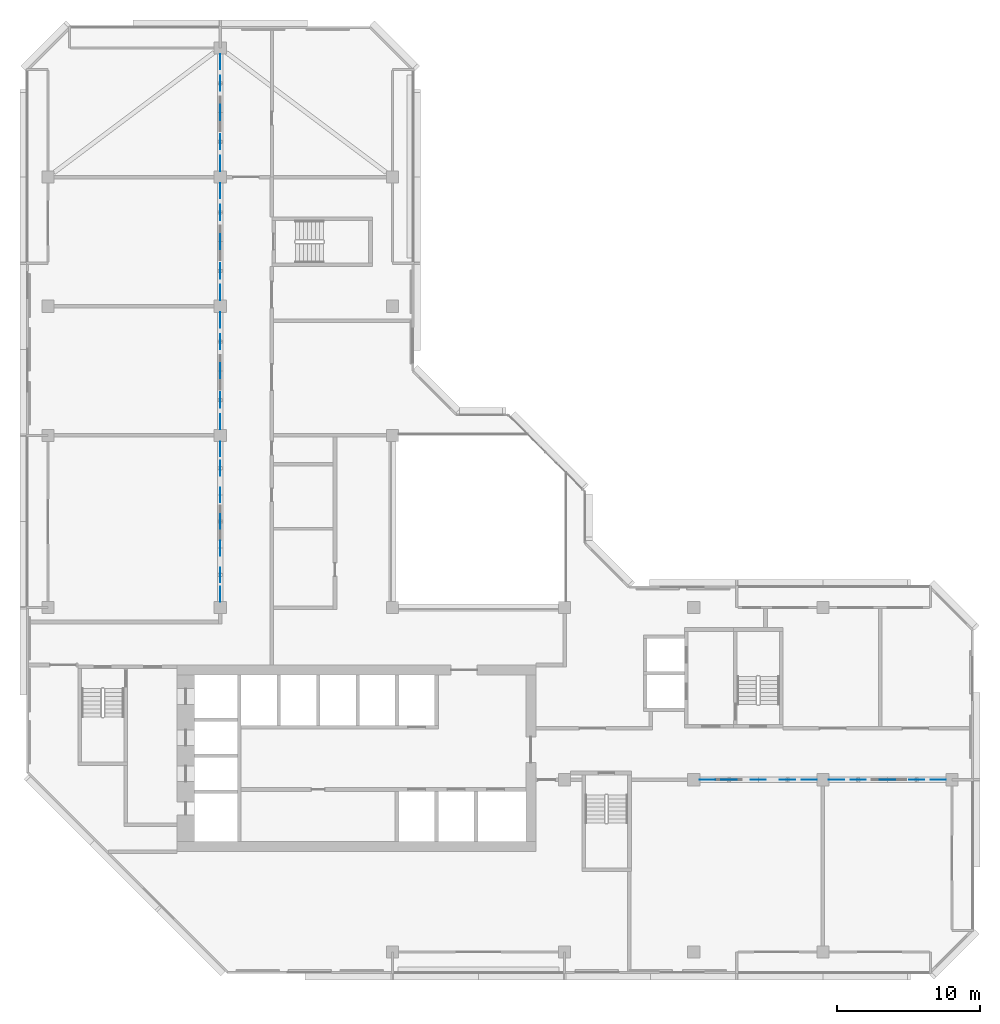
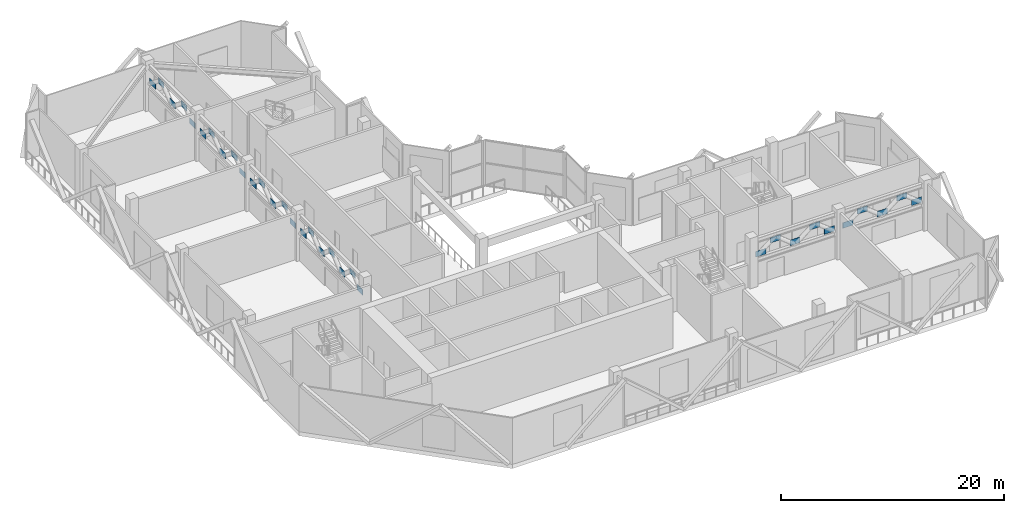
# One storey, part 11 of 14: 32 discrete accessories.
"""IFC4 building model written with IfcOpenShell, lengths in metres."""

import ifcopenshell
import ifcopenshell.guid

model = None  # the IFC model being written
_history = None  # IfcOwnerHistory: only IFC2X3 demands one
_inside = {}  # id of a spatial element -> (the spatial element, [elements in it])
_under = {}  # id of a project, library or spatial element -> (it, [spatial elements below it])
_declared = {}  # id of a project -> (the project, [libraries it declares])
_typed = {}  # id of a type object -> (the type object, [elements of that type])
_made_of = {}  # id of a material, layer set ... -> (it, [elements and type objects made of it])


def new_model(schema):
    """Start an empty IFC model of exactly this schema.

    Asked for "IFC4X3", IfcOpenShell would pick the latest addendum, in which some entities
    have other attributes; the version numbers below select the first issue.
    IFC2X3 requires an IfcOwnerHistory on every rooted entity: one is made here for all.
    """
    global model, _history
    if schema == "IFC4X3":
        model = ifcopenshell.file(schema_version=(4, 3, 0, 0))
    else:
        model = ifcopenshell.file(schema=schema)
    _inside.clear()
    _under.clear()
    _declared.clear()
    _typed.clear()
    _made_of.clear()
    _history = None
    if model.schema == "IFC2X3":
        org = make("IfcOrganization", Name="unknown")
        user = make(
            "IfcPersonAndOrganization",
            ThePerson=make("IfcPerson", FamilyName="unknown"),
            TheOrganization=org,
        )
        app = make(
            "IfcApplication",
            ApplicationDeveloper=org,
            Version="unknown",
            ApplicationFullName="unknown",
            ApplicationIdentifier="unknown",
        )
        _history = make(
            "IfcOwnerHistory",
            OwningUser=user,
            OwningApplication=app,
            ChangeAction="ADDED",
            CreationDate=0,
        )
    return model


def make(cls, **values):
    """One entity of the class cls with the attributes given. An attribute that is None is left unset."""
    return model.create_entity(
        cls, **{name: value for name, value in values.items() if value is not None}
    )


def rooted(cls, **values):
    """An entity with a GlobalId (a new one), such as an element, a storey or a relation."""
    return make(cls, GlobalId=ifcopenshell.guid.new(), OwnerHistory=_history, **values)


def si_unit(unit_type, name, prefix=None):
    """IfcSIUnit, for example si_unit("LENGTHUNIT", "METRE", prefix="MILLI")."""
    return make("IfcSIUnit", UnitType=unit_type, Prefix=prefix, Name=name)


def assignment(units):
    """IfcUnitAssignment: the units of a project."""
    return None if units is None else make("IfcUnitAssignment", Units=units)


def point(xyz):
    """IfcCartesianPoint."""
    return None if xyz is None else make("IfcCartesianPoint", Coordinates=xyz)


def direction(xyz):
    """IfcDirection."""
    return None if xyz is None else make("IfcDirection", DirectionRatios=xyz)


def frame(location, z_axis=None, x_axis=None):
    """IfcAxis2Placement3D, a coordinate frame: its origin and axes. An axis left out is left unset."""
    return make(
        "IfcAxis2Placement3D",
        Location=point(location),
        Axis=direction(z_axis),
        RefDirection=direction(x_axis),
    )


def origin():
    """The frame at (0, 0, 0) with its axes left unset."""
    return frame((0.0, 0.0, 0.0))


def place(relative_to, where):
    """IfcLocalPlacement: puts the frame where relative to a parent placement (None: the world)."""
    return make(
        "IfcLocalPlacement", PlacementRelTo=relative_to, RelativePlacement=where
    )


def context(
    kind, dimensions, precision=None, world=None, true_north=None, identifier=None
):
    """IfcGeometricRepresentationContext, for example the 3D "Model" context."""
    return make(
        "IfcGeometricRepresentationContext",
        ContextIdentifier=identifier,
        ContextType=kind,
        CoordinateSpaceDimension=dimensions,
        Precision=precision,
        WorldCoordinateSystem=world,
        TrueNorth=true_north,
    )


def subcontext(parent, identifier, kind, view, scale=None):
    """IfcGeometricRepresentationSubContext, for example "Body" below "Model"."""
    return make(
        "IfcGeometricRepresentationSubContext",
        ContextIdentifier=identifier,
        ContextType=kind,
        ParentContext=parent,
        TargetScale=scale,
        TargetView=view,
    )


def project(units=None, contexts=None):
    """IfcProject with its units and contexts."""
    return rooted(
        "IfcProject",
        Name="project",
        RepresentationContexts=contexts,
        UnitsInContext=assignment(units),
    )


def spatial(cls, under=None, at=None, **own):
    """A site, building, storey or space (cls), placed at a placement, below another one or the project."""
    s = rooted(cls, ObjectPlacement=at, **own)
    if under is not None:
        _under.setdefault(under.id(), (under, []))[1].append(s)
    return s


def polyline(points):
    """IfcPolyline through the points."""
    return make("IfcPolyline", Points=[point(p) for p in points])


def outline(outer, holes=None, kind="AREA"):
    """IfcArbitraryClosedProfileDef: a profile drawn as a closed curve; with holes, ...WithVoids."""
    if holes is None:
        return make("IfcArbitraryClosedProfileDef", ProfileType=kind, OuterCurve=outer)
    return make(
        "IfcArbitraryProfileDefWithVoids",
        ProfileType=kind,
        OuterCurve=outer,
        InnerCurves=holes,
    )


def extrude(swept, where, along, depth):
    """IfcExtrudedAreaSolid: the profile swept, set in the frame where, extruded along a direction by depth."""
    return make(
        "IfcExtrudedAreaSolid",
        SweptArea=swept,
        Position=where,
        ExtrudedDirection=direction(along),
        Depth=depth,
    )


def shape(context_of_items, identifier, shape_type, items):
    """IfcShapeRepresentation: the items that make up one representation, for example the "Body"."""
    return make(
        "IfcShapeRepresentation",
        ContextOfItems=context_of_items,
        RepresentationIdentifier=identifier,
        RepresentationType=shape_type,
        Items=items,
    )


def material(Name=None, Category=None):
    """IfcMaterial."""
    return make("IfcMaterial", Name=Name, Category=Category)


def layer(
    of_material, thickness, ventilated=None, Name=None, Category=None, Priority=None
):
    """IfcMaterialLayer: one layer of a wall or slab, of a material (None: an air gap)."""
    return make(
        "IfcMaterialLayer",
        Material=of_material,
        LayerThickness=thickness,
        IsVentilated=ventilated,
        Name=Name,
        Category=Category,
        Priority=Priority,
    )


def layer_set(layers, Name=None):
    """IfcMaterialLayerSet."""
    return make("IfcMaterialLayerSet", MaterialLayers=layers, LayerSetName=Name)


def made_of(thing, what):
    """Note that an element or type object is made of a material, layer set ...; save() writes the relation."""
    if what is not None:
        _made_of.setdefault(what.id(), (what, []))[1].append(thing)
    return thing


def type_object(cls, material=None, **own):
    """A type object (cls), such as IfcWallType, which elements share."""
    return made_of(rooted(cls, **own), material)


def element(
    cls,
    number,
    at=None,
    inside=None,
    cuts=None,
    type_object=None,
    material=None,
    context=None,
    identifier="Body",
    shape_type=None,
    held_by="IfcProductDefinitionShape",
    body=None,
    shapes=None,
    **own,
):
    """One element of the class cls, such as IfcWall. Its Tag is "e" and its number.

    at: its placement. inside: the storey or other place that contains it. cuts: it is an
    opening in that element (IfcRelVoidsElement). A single representation is given by context,
    identifier, shape_type and body (its items); several are given by shapes. held_by: the class
    of the entity that holds the representations. save() writes the other relations.
    """
    e = rooted(cls, Tag="e%d" % number, ObjectPlacement=at, **own)
    if body is not None:
        shapes = [shape(context, identifier, shape_type, body)]
    if shapes is not None:
        e.Representation = make(held_by, Representations=shapes)
    if inside is not None:
        _inside.setdefault(inside.id(), (inside, []))[1].append(e)
    if cuts is not None:
        rooted(
            "IfcRelVoidsElement", RelatingBuildingElement=cuts, RelatedOpeningElement=e
        )
    if type_object is not None:
        _typed.setdefault(type_object.id(), (type_object, []))[1].append(e)
    return made_of(e, material)


def aggregate(whole, parts):
    """IfcRelAggregates: a whole, such as a stair, and the parts it consists of."""
    return rooted("IfcRelAggregates", RelatingObject=whole, RelatedObjects=parts)


def save(model, path):
    """Write the relations noted so far, then the file.

    IfcRelAggregates (storeys below a building ...), IfcRelContainedInSpatialStructure (elements
    in a storey), IfcRelDefinesByType, IfcRelAssociatesMaterial and IfcRelDeclares: one each for
    every whole, place, type object, material and project.
    """
    for whole, parts in _under.values():
        aggregate(whole, parts)
    for where, things in _inside.values():
        rooted(
            "IfcRelContainedInSpatialStructure",
            RelatedElements=things,
            RelatingStructure=where,
        )
    for kind, things in _typed.values():
        rooted("IfcRelDefinesByType", RelatedObjects=things, RelatingType=kind)
    for what, things in _made_of.values():
        rooted("IfcRelAssociatesMaterial", RelatedObjects=things, RelatingMaterial=what)
    for by, libraries in _declared.values():
        rooted("IfcRelDeclares", RelatingContext=by, RelatedDefinitions=libraries)
    model.write(path)


model = new_model("IFC4")

# Units and contexts
model_context = context("Model", 3, precision=1e-05, world=origin(), true_north=direction((0.0, 1.0)))
body_context = subcontext(model_context, "Body", "Model", "MODEL_VIEW")
ifc_project = project(units=[si_unit("LENGTHUNIT", "METRE"), si_unit("AREAUNIT", "SQUARE_METRE"), si_unit("VOLUMEUNIT", "CUBIC_METRE"), si_unit("PLANEANGLEUNIT", "RADIAN"), si_unit("MASSUNIT", "GRAM", prefix="KILO")], contexts=[model_context])

# Site, building, storey
site_placement = place(None, origin())
site = spatial("IfcSite", under=ifc_project, at=site_placement, CompositionType="ELEMENT")
building_placement = place(site_placement, origin())
building = spatial("IfcBuilding", under=site, at=building_placement, Name="Chenar Terraces", CompositionType="ELEMENT")
storey_placement = place(building_placement, frame((0.0, 0.0, 256.64990234375)))
storey = spatial("IfcBuildingStorey", under=building, at=storey_placement, Name="L61", CompositionType="ELEMENT", Elevation=256.64990234375)

# Discrete accessories
ifc_material = material(Name="Structural steel S355", Category="steel")
ifc_layer = layer(ifc_material, 0.02490234375)
ifc_layer_set = layer_set([ifc_layer], Name="Structural steel S355")
discrete_accessory_type = type_object("IfcDiscreteAccessoryType", Name="Gusset plate 25 S355", PredefinedType="BRACKET", material=ifc_layer_set)
placement_1 = place(storey_placement, frame((0.0, 0.0, 2.940185546875)))
element("IfcDiscreteAccessory", 1, at=placement_1, inside=storey, type_object=discrete_accessory_type, Name="Gusset plate L61 A1 node 0", PredefinedType="BRACKET", context=body_context, shape_type="SweptSolid", body=[
    extrude(outline(polyline([(45.425048828125, 11.987548828125), (46.48291015625, 11.987548828125), (46.48291015625, 12.012451171875), (45.425048828125, 12.012451171875), (45.425048828125, 11.987548828125)])), origin(), (0.0, 0.0, 1.0), 0.60986328125),
])
placement_2 = place(storey_placement, frame((0.0, 0.0, 3.9501953125)))
element("IfcDiscreteAccessory", 2, at=placement_2, inside=storey, type_object=discrete_accessory_type, Name="Gusset plate L61 A1 node 1", PredefinedType="BRACKET", context=body_context, shape_type="SweptSolid", body=[
    extrude(outline(polyline([(46.93359375, 11.987548828125), (47.991455078125, 11.987548828125), (47.991455078125, 12.012451171875), (46.93359375, 12.012451171875), (46.93359375, 11.987548828125)])), origin(), (0.0, 0.0, 1.0), 0.60986328125),
])
element("IfcDiscreteAccessory", 3, at=placement_1, inside=storey, type_object=discrete_accessory_type, Name="Gusset plate L61 A1 node 2", PredefinedType="BRACKET", context=body_context, shape_type="SweptSolid", body=[
    extrude(outline(polyline([(48.970947265625, 11.987548828125), (50.029052734375, 11.987548828125), (50.029052734375, 12.012451171875), (48.970947265625, 12.012451171875), (48.970947265625, 11.987548828125)])), origin(), (0.0, 0.0, 1.0), 0.60986328125),
])
element("IfcDiscreteAccessory", 4, at=placement_2, inside=storey, type_object=discrete_accessory_type, Name="Gusset plate L61 A1 node 3", PredefinedType="BRACKET", context=body_context, shape_type="SweptSolid", body=[
    extrude(outline(polyline([(51.008544921875, 11.987548828125), (52.06640625, 11.987548828125), (52.06640625, 12.012451171875), (51.008544921875, 12.012451171875), (51.008544921875, 11.987548828125)])), origin(), (0.0, 0.0, 1.0), 0.60986328125),
])
element("IfcDiscreteAccessory", 5, at=placement_1, inside=storey, type_object=discrete_accessory_type, Name="Gusset plate L61 A1 node 4", PredefinedType="BRACKET", context=body_context, shape_type="SweptSolid", body=[
    extrude(outline(polyline([(52.51708984375, 11.987548828125), (53.574951171875, 11.987548828125), (53.574951171875, 12.012451171875), (52.51708984375, 12.012451171875), (52.51708984375, 11.987548828125)])), origin(), (0.0, 0.0, 1.0), 0.60986328125),
])
element("IfcDiscreteAccessory", 6, at=placement_1, inside=storey, type_object=discrete_accessory_type, Name="Gusset plate L61 A2 node 0", PredefinedType="BRACKET", context=body_context, shape_type="SweptSolid", body=[
    extrude(outline(polyline([(54.425048828125, 11.987548828125), (55.48291015625, 11.987548828125), (55.48291015625, 12.012451171875), (54.425048828125, 12.012451171875), (54.425048828125, 11.987548828125)])), origin(), (0.0, 0.0, 1.0), 0.60986328125),
])
element("IfcDiscreteAccessory", 7, at=placement_2, inside=storey, type_object=discrete_accessory_type, Name="Gusset plate L61 A2 node 1", PredefinedType="BRACKET", context=body_context, shape_type="SweptSolid", body=[
    extrude(outline(polyline([(55.93359375, 11.987548828125), (56.991455078125, 11.987548828125), (56.991455078125, 12.012451171875), (55.93359375, 12.012451171875), (55.93359375, 11.987548828125)])), origin(), (0.0, 0.0, 1.0), 0.60986328125),
])
element("IfcDiscreteAccessory", 8, at=placement_1, inside=storey, type_object=discrete_accessory_type, Name="Gusset plate L61 A2 node 2", PredefinedType="BRACKET", context=body_context, shape_type="SweptSolid", body=[
    extrude(outline(polyline([(57.970947265625, 11.987548828125), (59.029052734375, 11.987548828125), (59.029052734375, 12.012451171875), (57.970947265625, 12.012451171875), (57.970947265625, 11.987548828125)])), origin(), (0.0, 0.0, 1.0), 0.60986328125),
])
element("IfcDiscreteAccessory", 9, at=placement_2, inside=storey, type_object=discrete_accessory_type, Name="Gusset plate L61 A2 node 3", PredefinedType="BRACKET", context=body_context, shape_type="SweptSolid", body=[
    extrude(outline(polyline([(60.008544921875, 11.987548828125), (61.06640625, 11.987548828125), (61.06640625, 12.012451171875), (60.008544921875, 12.012451171875), (60.008544921875, 11.987548828125)])), origin(), (0.0, 0.0, 1.0), 0.60986328125),
])
element("IfcDiscreteAccessory", 10, at=placement_1, inside=storey, type_object=discrete_accessory_type, Name="Gusset plate L61 A2 node 4", PredefinedType="BRACKET", context=body_context, shape_type="SweptSolid", body=[
    extrude(outline(polyline([(61.51708984375, 11.987548828125), (62.574951171875, 11.987548828125), (62.574951171875, 12.012451171875), (61.51708984375, 12.012451171875), (61.51708984375, 11.987548828125)])), origin(), (0.0, 0.0, 1.0), 0.60986328125),
])
element("IfcDiscreteAccessory", 11, at=placement_1, inside=storey, type_object=discrete_accessory_type, Name="Gusset plate L61 B1 node 0", PredefinedType="BRACKET", context=body_context, shape_type="SweptSolid", body=[
    extrude(outline(polyline([(12.012451171875, 24.425048828125), (12.012451171875, 25.447998046875), (11.987548828125, 25.447998046875), (11.987548828125, 24.425048828125), (12.012451171875, 24.425048828125)])), origin(), (0.0, 0.0, 1.0), 0.60986328125),
])
element("IfcDiscreteAccessory", 12, at=placement_2, inside=storey, type_object=discrete_accessory_type, Name="Gusset plate L61 B1 node 1", PredefinedType="BRACKET", context=body_context, shape_type="SweptSolid", body=[
    extrude(outline(polyline([(12.012451171875, 25.77197265625), (12.012451171875, 26.794921875), (11.987548828125, 26.794921875), (11.987548828125, 25.77197265625), (12.012451171875, 25.77197265625)])), origin(), (0.0, 0.0, 1.0), 0.60986328125),
])
element("IfcDiscreteAccessory", 13, at=placement_1, inside=storey, type_object=discrete_accessory_type, Name="Gusset plate L61 B1 node 2", PredefinedType="BRACKET", context=body_context, shape_type="SweptSolid", body=[
    extrude(outline(polyline([(12.012451171875, 27.630126953125), (12.012451171875, 28.653076171875), (11.987548828125, 28.653076171875), (11.987548828125, 27.630126953125), (12.012451171875, 27.630126953125)])), origin(), (0.0, 0.0, 1.0), 0.60986328125),
])
element("IfcDiscreteAccessory", 14, at=placement_2, inside=storey, type_object=discrete_accessory_type, Name="Gusset plate L61 B1 node 3", PredefinedType="BRACKET", context=body_context, shape_type="SweptSolid", body=[
    extrude(outline(polyline([(12.012451171875, 29.488525390625), (12.012451171875, 30.511474609375), (11.987548828125, 30.511474609375), (11.987548828125, 29.488525390625), (12.012451171875, 29.488525390625)])), origin(), (0.0, 0.0, 1.0), 0.60986328125),
])
element("IfcDiscreteAccessory", 15, at=placement_1, inside=storey, type_object=discrete_accessory_type, Name="Gusset plate L61 B1 node 4", PredefinedType="BRACKET", context=body_context, shape_type="SweptSolid", body=[
    extrude(outline(polyline([(12.012451171875, 31.346923828125), (12.012451171875, 32.369873046875), (11.987548828125, 32.369873046875), (11.987548828125, 31.346923828125), (12.012451171875, 31.346923828125)])), origin(), (0.0, 0.0, 1.0), 0.60986328125),
])
element("IfcDiscreteAccessory", 16, at=placement_2, inside=storey, type_object=discrete_accessory_type, Name="Gusset plate L61 B1 node 5", PredefinedType="BRACKET", context=body_context, shape_type="SweptSolid", body=[
    extrude(outline(polyline([(12.012451171875, 33.205078125), (12.012451171875, 34.22802734375), (11.987548828125, 34.22802734375), (11.987548828125, 33.205078125), (12.012451171875, 33.205078125)])), origin(), (0.0, 0.0, 1.0), 0.60986328125),
])
element("IfcDiscreteAccessory", 17, at=placement_1, inside=storey, type_object=discrete_accessory_type, Name="Gusset plate L61 B1 node 6", PredefinedType="BRACKET", context=body_context, shape_type="SweptSolid", body=[
    extrude(outline(polyline([(12.012451171875, 34.552001953125), (12.012451171875, 35.574951171875), (11.987548828125, 35.574951171875), (11.987548828125, 34.552001953125), (12.012451171875, 34.552001953125)])), origin(), (0.0, 0.0, 1.0), 0.60986328125),
])
element("IfcDiscreteAccessory", 18, at=placement_1, inside=storey, type_object=discrete_accessory_type, Name="Gusset plate L61 B2 node 0", PredefinedType="BRACKET", context=body_context, shape_type="SweptSolid", body=[
    extrude(outline(polyline([(12.012451171875, 36.425048828125), (12.012451171875, 37.48291015625), (11.987548828125, 37.48291015625), (11.987548828125, 36.425048828125), (12.012451171875, 36.425048828125)])), origin(), (0.0, 0.0, 1.0), 0.60986328125),
])
element("IfcDiscreteAccessory", 19, at=placement_2, inside=storey, type_object=discrete_accessory_type, Name="Gusset plate L61 B2 node 1", PredefinedType="BRACKET", context=body_context, shape_type="SweptSolid", body=[
    extrude(outline(polyline([(12.012451171875, 37.93359375), (12.012451171875, 38.991455078125), (11.987548828125, 38.991455078125), (11.987548828125, 37.93359375), (12.012451171875, 37.93359375)])), origin(), (0.0, 0.0, 1.0), 0.60986328125),
])
element("IfcDiscreteAccessory", 20, at=placement_1, inside=storey, type_object=discrete_accessory_type, Name="Gusset plate L61 B2 node 2", PredefinedType="BRACKET", context=body_context, shape_type="SweptSolid", body=[
    extrude(outline(polyline([(12.012451171875, 39.970947265625), (12.012451171875, 41.029052734375), (11.987548828125, 41.029052734375), (11.987548828125, 39.970947265625), (12.012451171875, 39.970947265625)])), origin(), (0.0, 0.0, 1.0), 0.60986328125),
])
element("IfcDiscreteAccessory", 21, at=placement_2, inside=storey, type_object=discrete_accessory_type, Name="Gusset plate L61 B2 node 3", PredefinedType="BRACKET", context=body_context, shape_type="SweptSolid", body=[
    extrude(outline(polyline([(12.012451171875, 42.008544921875), (12.012451171875, 43.06640625), (11.987548828125, 43.06640625), (11.987548828125, 42.008544921875), (12.012451171875, 42.008544921875)])), origin(), (0.0, 0.0, 1.0), 0.60986328125),
])
element("IfcDiscreteAccessory", 22, at=placement_1, inside=storey, type_object=discrete_accessory_type, Name="Gusset plate L61 B2 node 4", PredefinedType="BRACKET", context=body_context, shape_type="SweptSolid", body=[
    extrude(outline(polyline([(12.012451171875, 43.51708984375), (12.012451171875, 44.574951171875), (11.987548828125, 44.574951171875), (11.987548828125, 43.51708984375), (12.012451171875, 43.51708984375)])), origin(), (0.0, 0.0, 1.0), 0.60986328125),
])
element("IfcDiscreteAccessory", 23, at=placement_1, inside=storey, type_object=discrete_accessory_type, Name="Gusset plate L61 B3 node 0", PredefinedType="BRACKET", context=body_context, shape_type="SweptSolid", body=[
    extrude(outline(polyline([(12.012451171875, 45.425048828125), (12.012451171875, 46.48291015625), (11.987548828125, 46.48291015625), (11.987548828125, 45.425048828125), (12.012451171875, 45.425048828125)])), origin(), (0.0, 0.0, 1.0), 0.60986328125),
])
element("IfcDiscreteAccessory", 24, at=placement_2, inside=storey, type_object=discrete_accessory_type, Name="Gusset plate L61 B3 node 1", PredefinedType="BRACKET", context=body_context, shape_type="SweptSolid", body=[
    extrude(outline(polyline([(12.012451171875, 46.93359375), (12.012451171875, 47.991455078125), (11.987548828125, 47.991455078125), (11.987548828125, 46.93359375), (12.012451171875, 46.93359375)])), origin(), (0.0, 0.0, 1.0), 0.60986328125),
])
element("IfcDiscreteAccessory", 25, at=placement_1, inside=storey, type_object=discrete_accessory_type, Name="Gusset plate L61 B3 node 2", PredefinedType="BRACKET", context=body_context, shape_type="SweptSolid", body=[
    extrude(outline(polyline([(12.012451171875, 48.970947265625), (12.012451171875, 50.029052734375), (11.987548828125, 50.029052734375), (11.987548828125, 48.970947265625), (12.012451171875, 48.970947265625)])), origin(), (0.0, 0.0, 1.0), 0.60986328125),
])
element("IfcDiscreteAccessory", 26, at=placement_2, inside=storey, type_object=discrete_accessory_type, Name="Gusset plate L61 B3 node 3", PredefinedType="BRACKET", context=body_context, shape_type="SweptSolid", body=[
    extrude(outline(polyline([(12.012451171875, 51.008544921875), (12.012451171875, 52.06640625), (11.987548828125, 52.06640625), (11.987548828125, 51.008544921875), (12.012451171875, 51.008544921875)])), origin(), (0.0, 0.0, 1.0), 0.60986328125),
])
element("IfcDiscreteAccessory", 27, at=placement_1, inside=storey, type_object=discrete_accessory_type, Name="Gusset plate L61 B3 node 4", PredefinedType="BRACKET", context=body_context, shape_type="SweptSolid", body=[
    extrude(outline(polyline([(12.012451171875, 52.51708984375), (12.012451171875, 53.574951171875), (11.987548828125, 53.574951171875), (11.987548828125, 52.51708984375), (12.012451171875, 52.51708984375)])), origin(), (0.0, 0.0, 1.0), 0.60986328125),
])
element("IfcDiscreteAccessory", 28, at=placement_1, inside=storey, type_object=discrete_accessory_type, Name="Gusset plate L61 B4 node 0", PredefinedType="BRACKET", context=body_context, shape_type="SweptSolid", body=[
    extrude(outline(polyline([(12.012451171875, 54.425048828125), (12.012451171875, 55.48291015625), (11.987548828125, 55.48291015625), (11.987548828125, 54.425048828125), (12.012451171875, 54.425048828125)])), origin(), (0.0, 0.0, 1.0), 0.60986328125),
])
element("IfcDiscreteAccessory", 29, at=placement_2, inside=storey, type_object=discrete_accessory_type, Name="Gusset plate L61 B4 node 1", PredefinedType="BRACKET", context=body_context, shape_type="SweptSolid", body=[
    extrude(outline(polyline([(12.012451171875, 55.93359375), (12.012451171875, 56.991455078125), (11.987548828125, 56.991455078125), (11.987548828125, 55.93359375), (12.012451171875, 55.93359375)])), origin(), (0.0, 0.0, 1.0), 0.60986328125),
])
element("IfcDiscreteAccessory", 30, at=placement_1, inside=storey, type_object=discrete_accessory_type, Name="Gusset plate L61 B4 node 2", PredefinedType="BRACKET", context=body_context, shape_type="SweptSolid", body=[
    extrude(outline(polyline([(12.012451171875, 57.970947265625), (12.012451171875, 59.029052734375), (11.987548828125, 59.029052734375), (11.987548828125, 57.970947265625), (12.012451171875, 57.970947265625)])), origin(), (0.0, 0.0, 1.0), 0.60986328125),
])
element("IfcDiscreteAccessory", 31, at=placement_2, inside=storey, type_object=discrete_accessory_type, Name="Gusset plate L61 B4 node 3", PredefinedType="BRACKET", context=body_context, shape_type="SweptSolid", body=[
    extrude(outline(polyline([(12.012451171875, 60.008544921875), (12.012451171875, 61.06640625), (11.987548828125, 61.06640625), (11.987548828125, 60.008544921875), (12.012451171875, 60.008544921875)])), origin(), (0.0, 0.0, 1.0), 0.60986328125),
])
element("IfcDiscreteAccessory", 32, at=placement_1, inside=storey, type_object=discrete_accessory_type, Name="Gusset plate L61 B4 node 4", PredefinedType="BRACKET", context=body_context, shape_type="SweptSolid", body=[
    extrude(outline(polyline([(12.012451171875, 61.51708984375), (12.012451171875, 62.574951171875), (11.987548828125, 62.574951171875), (11.987548828125, 61.51708984375), (12.012451171875, 61.51708984375)])), origin(), (0.0, 0.0, 1.0), 0.60986328125),
])

save(model, "model.ifc")
